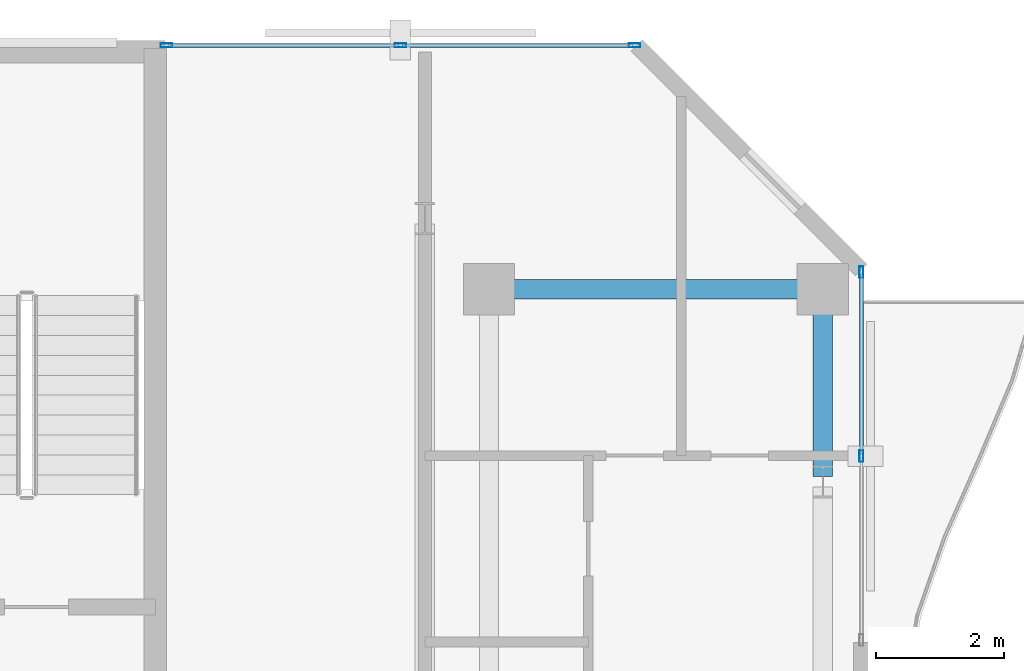
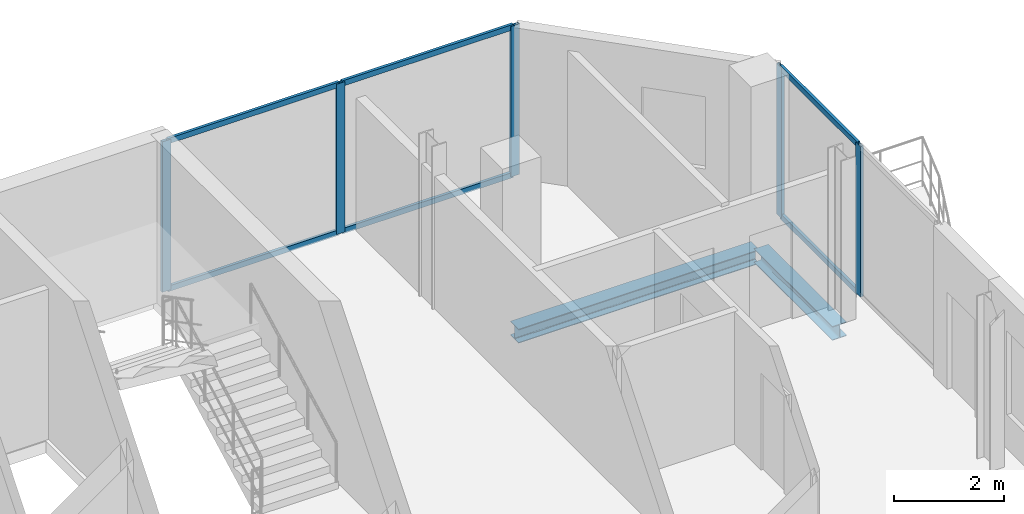
# One storey, part 16 of 23: 11 members, 2 beams, 2 elements without a shape of their own.
"""IFC4 building model written with IfcOpenShell, lengths in metres."""

from ifc_helpers import new_model, si_unit, direction, frame, origin, origin_2d, place, context, subcontext, project, spatial, hollow_rectangle, i_section, extrude, material, layer, layer_set, material_profile, profile_set, type_object, element, aggregate, save


model = new_model("IFC4")

# Units and contexts
model_context = context("Model", 3, precision=1e-05, world=origin(), true_north=direction((0.0, 1.0)))
body_context = subcontext(model_context, "Body", "Model", "MODEL_VIEW")
ifc_project = project(units=[si_unit("LENGTHUNIT", "METRE"), si_unit("AREAUNIT", "SQUARE_METRE"), si_unit("VOLUMEUNIT", "CUBIC_METRE"), si_unit("PLANEANGLEUNIT", "RADIAN"), si_unit("MASSUNIT", "GRAM", prefix="KILO")], contexts=[model_context])

# Site, building, storey
site_placement = place(None, origin())
site = spatial("IfcSite", under=ifc_project, at=site_placement, CompositionType="ELEMENT")
building_placement = place(site_placement, origin())
building = spatial("IfcBuilding", under=site, at=building_placement, Name="Catumbela Crestline Tower", CompositionType="ELEMENT")
storey_placement = place(building_placement, frame((0.0, 0.0, 165.0)))
storey = spatial("IfcBuildingStorey", under=building, at=storey_placement, Name="L42", CompositionType="ELEMENT", Elevation=165.0)

# Curtain wall, members
ifc_material_1 = material(Name="Aluminium alloy AW-6060-T66", Category="aluminium")
ifc_layer = layer(ifc_material_1, 0.18, Name="Aluminium alloy AW-6060-T66")
ifc_layer_set = layer_set([ifc_layer], Name="Aluminium alloy AW-6060-T66")
curtain_wall_type = type_object("IfcCurtainWallType", Name="CWU-Z3", PredefinedType="USERDEFINED", material=ifc_layer_set)
curtain_wall_1_placement = place(storey_placement, origin())
curtain_wall_1 = element("IfcCurtainWall", 1, at=curtain_wall_1_placement, inside=storey, type_object=curtain_wall_type, Name="L42 Unitised Curtain Wall CW-L42-E5S2", ObjectType="UNITISED", PredefinedType="USERDEFINED")
ifc_material_profile_1 = material_profile(ifc_material_1, hollow_rectangle(XDim=0.065, YDim=0.18, WallThickness=0.004, at=origin_2d()), Name="ALU 180x65x4")
ifc_profile_set_1 = profile_set([ifc_material_profile_1], Name="Aluminium alloy AW-6060-T66")
member_type_1 = type_object("IfcMemberType", Name="MUL-180X65", PredefinedType="MULLION", material=ifc_profile_set_1)
member_1_placement = place(storey_placement, frame((51.0, 36.6, 0.0), z_axis=(0.0, 0.0, 1.0), x_axis=(-1.0, 0.0, 0.0)))
member_1 = element("IfcMember", 2, at=member_1_placement, type_object=member_type_1, Name="CWU-Z3 mullion 2", PredefinedType="MULLION", context=body_context, shape_type="SweptSolid", body=[
    extrude(hollow_rectangle(XDim=0.065, YDim=0.18, WallThickness=0.004, at=origin_2d()), origin(), (0.0, 0.0, 1.0), 3.33),
])
member_2_placement = place(storey_placement, frame((51.0, 39.4675, 0.0), z_axis=(0.0, 0.0, 1.0), x_axis=(-1.0, 0.0, 0.0)))
member_2 = element("IfcMember", 3, at=member_2_placement, type_object=member_type_1, Name="CWU-Z3 mullion 3", PredefinedType="MULLION", context=body_context, shape_type="SweptSolid", body=[
    extrude(hollow_rectangle(XDim=0.065, YDim=0.18, WallThickness=0.004, at=origin_2d()), origin(), (0.0, 0.0, 1.0), 3.33),
])

curtain_wall_2_placement = place(storey_placement, origin())
curtain_wall_2 = element("IfcCurtainWall", 4, at=curtain_wall_2_placement, inside=storey, type_object=curtain_wall_type, Name="L42 Unitised Curtain Wall CW-L42-E7S1", ObjectType="UNITISED", PredefinedType="USERDEFINED")
member_3_placement = place(storey_placement, frame((47.4675, 43.0, 0.0), z_axis=(0.0, 0.0, 1.0), x_axis=(0.0, -1.0, 0.0)))
member_3 = element("IfcMember", 5, at=member_3_placement, type_object=member_type_1, Name="CWU-Z3 mullion 1", PredefinedType="MULLION", context=body_context, shape_type="SweptSolid", body=[
    extrude(hollow_rectangle(XDim=0.065, YDim=0.18, WallThickness=0.004, at=origin_2d()), origin(), (0.0, 0.0, 1.0), 3.33),
])
member_4_placement = place(storey_placement, frame((43.82, 43.0, 0.0), z_axis=(0.0, 0.0, 1.0), x_axis=(0.0, -1.0, 0.0)))
member_4 = element("IfcMember", 6, at=member_4_placement, type_object=member_type_1, Name="CWU-Z3 mullion 2", PredefinedType="MULLION", context=body_context, shape_type="SweptSolid", body=[
    extrude(hollow_rectangle(XDim=0.065, YDim=0.18, WallThickness=0.004, at=origin_2d()), origin(), (0.0, 0.0, 1.0), 3.33),
])
member_5_placement = place(storey_placement, frame((40.1725, 43.0, 0.0), z_axis=(0.0, 0.0, 1.0), x_axis=(0.0, -1.0, 0.0)))
member_5 = element("IfcMember", 7, at=member_5_placement, type_object=member_type_1, Name="CWU-Z3 mullion 3", PredefinedType="MULLION", context=body_context, shape_type="SweptSolid", body=[
    extrude(hollow_rectangle(XDim=0.065, YDim=0.18, WallThickness=0.004, at=origin_2d()), origin(), (0.0, 0.0, 1.0), 3.33),
])

# Beams
ifc_material_2 = material(Name="Structural steel S355J2", Category="steel")
ifc_material_profile_2 = material_profile(ifc_material_2, i_section(OverallWidth=0.3, OverallDepth=0.31, WebThickness=0.009, FlangeThickness=0.0155, FilletRadius=0.027, at=origin_2d()), Name="HEA 320")
ifc_profile_set_2 = profile_set([ifc_material_profile_2], Name="Structural steel S355J2")
beam_type = type_object("IfcBeamType", Name="BS-HEA320", PredefinedType="SPANDREL", material=ifc_profile_set_2)
beam_1_placement = place(storey_placement, frame((45.28, 39.2, -0.415), z_axis=(1.0, 0.0, 0.0), x_axis=(0.0, 1.0, 0.0)))
element("IfcBeam", 8, at=beam_1_placement, inside=storey, type_object=beam_type, Name="L42 Spandrel SP-L42-N13", PredefinedType="SPANDREL", context=body_context, shape_type="SweptSolid", body=[
    extrude(i_section(OverallWidth=0.3, OverallDepth=0.31, WebThickness=0.009, FlangeThickness=0.0155, FilletRadius=0.027, at=origin_2d()), origin(), (0.0, 0.0, 1.0), 5.04),
])
beam_2_placement = place(storey_placement, frame((50.4, 36.28, -0.415), z_axis=(0.0, 1.0, 0.0), x_axis=(-1.0, 0.0, 0.0)))
element("IfcBeam", 9, at=beam_2_placement, inside=storey, type_object=beam_type, Name="L42 Spandrel SP-L42-SN25", PredefinedType="SPANDREL", context=body_context, shape_type="SweptSolid", body=[
    extrude(i_section(OverallWidth=0.3, OverallDepth=0.31, WebThickness=0.009, FlangeThickness=0.0155, FilletRadius=0.027, at=origin_2d()), origin(), (0.0, 0.0, 1.0), 2.84),
])

# Member
ifc_material_profile_3 = material_profile(ifc_material_1, hollow_rectangle(XDim=0.06, YDim=0.12, WallThickness=0.0035, at=origin_2d()), Name="ALU 120x60x3.5")
ifc_profile_set_3 = profile_set([ifc_material_profile_3], Name="Aluminium alloy AW-6060-T66")
member_type_2 = type_object("IfcMemberType", Name="TRN-120X60", PredefinedType="USERDEFINED", material=ifc_profile_set_3)
member_6_placement = place(storey_placement, frame((51.0, 36.6325, 0.03), z_axis=(0.0, 1.0, 0.0), x_axis=(-1.0, 0.0, 0.0)))
member_6 = element("IfcMember", 10, at=member_6_placement, type_object=member_type_2, Name="CWU-Z3 transom 2.1", ObjectType="TRANSOM", PredefinedType="USERDEFINED", context=body_context, shape_type="SweptSolid", body=[
    extrude(hollow_rectangle(XDim=0.06, YDim=0.12, WallThickness=0.0035, at=origin_2d()), origin(), (0.0, 0.0, 1.0), 2.8025),
])

member_7_placement = place(storey_placement, frame((51.0, 36.6325, 3.3), z_axis=(0.0, 1.0, 0.0), x_axis=(-1.0, 0.0, 0.0)))
member_7 = element("IfcMember", 11, at=member_7_placement, type_object=member_type_2, Name="CWU-Z3 transom 2.2", ObjectType="TRANSOM", PredefinedType="USERDEFINED", context=body_context, shape_type="SweptSolid", body=[
    extrude(hollow_rectangle(XDim=0.06, YDim=0.12, WallThickness=0.0035, at=origin_2d()), origin(), (0.0, 0.0, 1.0), 2.8025),
])

aggregate(curtain_wall_1, [member_1, member_2, member_6, member_7])

member_8_placement = place(storey_placement, frame((47.435, 43.0, 0.03), z_axis=(-1.0, 0.0, 0.0), x_axis=(0.0, -1.0, 0.0)))
member_8 = element("IfcMember", 12, at=member_8_placement, type_object=member_type_2, Name="CWU-Z3 transom 1.1", ObjectType="TRANSOM", PredefinedType="USERDEFINED", context=body_context, shape_type="SweptSolid", body=[
    extrude(hollow_rectangle(XDim=0.06, YDim=0.12, WallThickness=0.0035, at=origin_2d()), origin(), (0.0, 0.0, 1.0), 3.5825),
])

member_9_placement = place(storey_placement, frame((47.435, 43.0, 3.3), z_axis=(-1.0, 0.0, 0.0), x_axis=(0.0, -1.0, 0.0)))
member_9 = element("IfcMember", 13, at=member_9_placement, type_object=member_type_2, Name="CWU-Z3 transom 1.2", ObjectType="TRANSOM", PredefinedType="USERDEFINED", context=body_context, shape_type="SweptSolid", body=[
    extrude(hollow_rectangle(XDim=0.06, YDim=0.12, WallThickness=0.0035, at=origin_2d()), origin(), (0.0, 0.0, 1.0), 3.5825),
])

member_10_placement = place(storey_placement, frame((43.7875, 43.0, 0.03), z_axis=(-1.0, 0.0, 0.0), x_axis=(0.0, -1.0, 0.0)))
member_10 = element("IfcMember", 14, at=member_10_placement, type_object=member_type_2, Name="CWU-Z3 transom 2.1", ObjectType="TRANSOM", PredefinedType="USERDEFINED", context=body_context, shape_type="SweptSolid", body=[
    extrude(hollow_rectangle(XDim=0.06, YDim=0.12, WallThickness=0.0035, at=origin_2d()), origin(), (0.0, 0.0, 1.0), 3.5825),
])

member_11_placement = place(storey_placement, frame((43.7875, 43.0, 3.3), z_axis=(-1.0, 0.0, 0.0), x_axis=(0.0, -1.0, 0.0)))
member_11 = element("IfcMember", 15, at=member_11_placement, type_object=member_type_2, Name="CWU-Z3 transom 2.2", ObjectType="TRANSOM", PredefinedType="USERDEFINED", context=body_context, shape_type="SweptSolid", body=[
    extrude(hollow_rectangle(XDim=0.06, YDim=0.12, WallThickness=0.0035, at=origin_2d()), origin(), (0.0, 0.0, 1.0), 3.5825),
])

aggregate(curtain_wall_2, [member_3, member_4, member_5, member_8, member_9, member_10, member_11])

save(model, "model.ifc")
